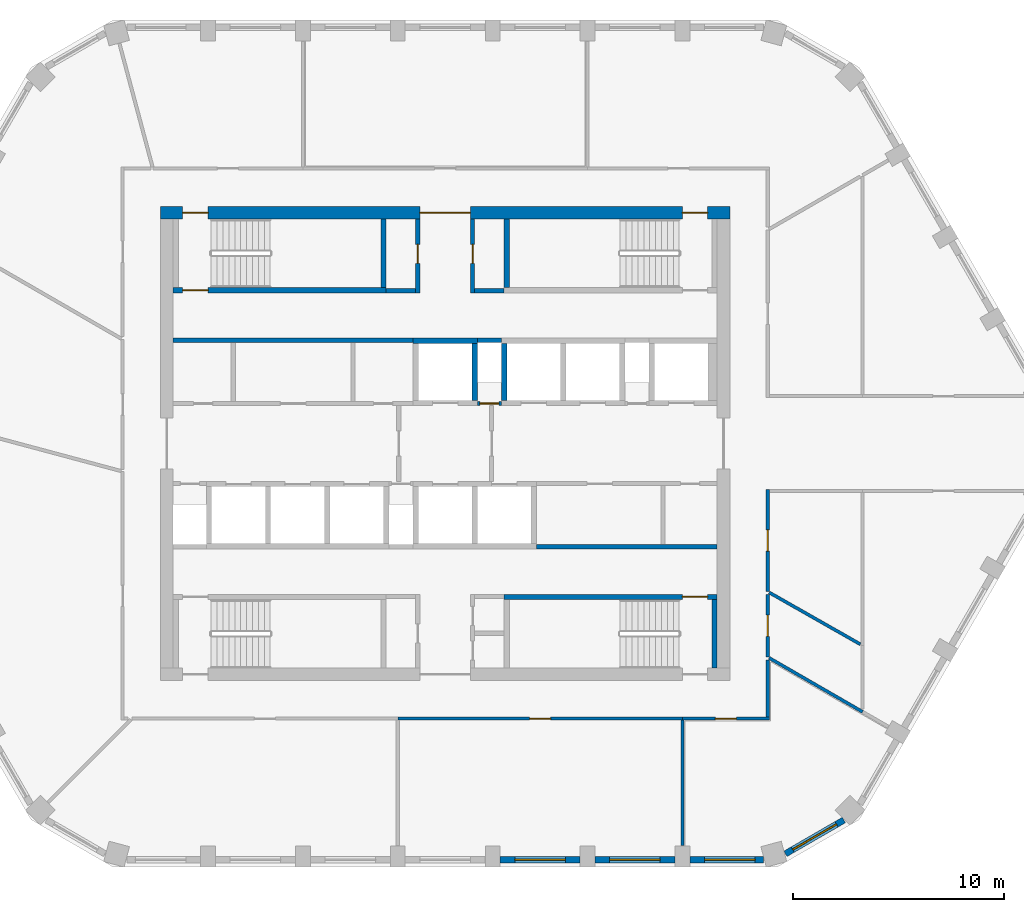
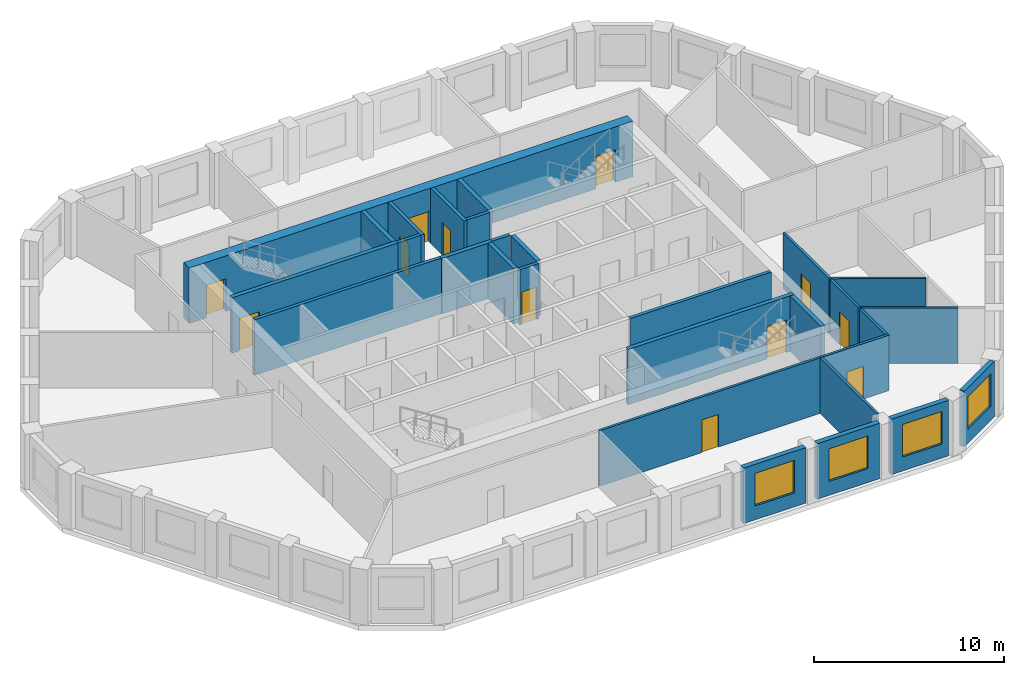
# One storey, part 4 of 10: 29 walls, 12 doors, 4 windows, 16 openings.
"""IFC4 building model written with IfcOpenShell, lengths in metres."""

import ifcopenshell
import ifcopenshell.guid

model = None  # the IFC model being written
_history = None  # IfcOwnerHistory: only IFC2X3 demands one
_inside = {}  # id of a spatial element -> (the spatial element, [elements in it])
_under = {}  # id of a project, library or spatial element -> (it, [spatial elements below it])
_declared = {}  # id of a project -> (the project, [libraries it declares])
_typed = {}  # id of a type object -> (the type object, [elements of that type])
_made_of = {}  # id of a material, layer set ... -> (it, [elements and type objects made of it])


def new_model(schema):
    """Start an empty IFC model of exactly this schema.

    Asked for "IFC4X3", IfcOpenShell would pick the latest addendum, in which some entities
    have other attributes; the version numbers below select the first issue.
    IFC2X3 requires an IfcOwnerHistory on every rooted entity: one is made here for all.
    """
    global model, _history
    if schema == "IFC4X3":
        model = ifcopenshell.file(schema_version=(4, 3, 0, 0))
    else:
        model = ifcopenshell.file(schema=schema)
    _inside.clear()
    _under.clear()
    _declared.clear()
    _typed.clear()
    _made_of.clear()
    _history = None
    if model.schema == "IFC2X3":
        org = make("IfcOrganization", Name="unknown")
        user = make(
            "IfcPersonAndOrganization",
            ThePerson=make("IfcPerson", FamilyName="unknown"),
            TheOrganization=org,
        )
        app = make(
            "IfcApplication",
            ApplicationDeveloper=org,
            Version="unknown",
            ApplicationFullName="unknown",
            ApplicationIdentifier="unknown",
        )
        _history = make(
            "IfcOwnerHistory",
            OwningUser=user,
            OwningApplication=app,
            ChangeAction="ADDED",
            CreationDate=0,
        )
    return model


def make(cls, **values):
    """One entity of the class cls with the attributes given. An attribute that is None is left unset."""
    return model.create_entity(
        cls, **{name: value for name, value in values.items() if value is not None}
    )


def rooted(cls, **values):
    """An entity with a GlobalId (a new one), such as an element, a storey or a relation."""
    return make(cls, GlobalId=ifcopenshell.guid.new(), OwnerHistory=_history, **values)


def si_unit(unit_type, name, prefix=None):
    """IfcSIUnit, for example si_unit("LENGTHUNIT", "METRE", prefix="MILLI")."""
    return make("IfcSIUnit", UnitType=unit_type, Prefix=prefix, Name=name)


def assignment(units):
    """IfcUnitAssignment: the units of a project."""
    return None if units is None else make("IfcUnitAssignment", Units=units)


def point(xyz):
    """IfcCartesianPoint."""
    return None if xyz is None else make("IfcCartesianPoint", Coordinates=xyz)


def direction(xyz):
    """IfcDirection."""
    return None if xyz is None else make("IfcDirection", DirectionRatios=xyz)


def frame(location, z_axis=None, x_axis=None):
    """IfcAxis2Placement3D, a coordinate frame: its origin and axes. An axis left out is left unset."""
    return make(
        "IfcAxis2Placement3D",
        Location=point(location),
        Axis=direction(z_axis),
        RefDirection=direction(x_axis),
    )


def frame_2d(location, x_axis=None):
    """IfcAxis2Placement2D, a coordinate frame in the plane: its origin and x axis."""
    return make(
        "IfcAxis2Placement2D", Location=point(location), RefDirection=direction(x_axis)
    )


def origin():
    """The frame at (0, 0, 0) with its axes left unset."""
    return frame((0.0, 0.0, 0.0))


def place(relative_to, where):
    """IfcLocalPlacement: puts the frame where relative to a parent placement (None: the world)."""
    return make(
        "IfcLocalPlacement", PlacementRelTo=relative_to, RelativePlacement=where
    )


def context(
    kind, dimensions, precision=None, world=None, true_north=None, identifier=None
):
    """IfcGeometricRepresentationContext, for example the 3D "Model" context."""
    return make(
        "IfcGeometricRepresentationContext",
        ContextIdentifier=identifier,
        ContextType=kind,
        CoordinateSpaceDimension=dimensions,
        Precision=precision,
        WorldCoordinateSystem=world,
        TrueNorth=true_north,
    )


def subcontext(parent, identifier, kind, view, scale=None):
    """IfcGeometricRepresentationSubContext, for example "Body" below "Model"."""
    return make(
        "IfcGeometricRepresentationSubContext",
        ContextIdentifier=identifier,
        ContextType=kind,
        ParentContext=parent,
        TargetScale=scale,
        TargetView=view,
    )


def project(units=None, contexts=None):
    """IfcProject with its units and contexts."""
    return rooted(
        "IfcProject",
        Name="project",
        RepresentationContexts=contexts,
        UnitsInContext=assignment(units),
    )


def spatial(cls, under=None, at=None, **own):
    """A site, building, storey or space (cls), placed at a placement, below another one or the project."""
    s = rooted(cls, ObjectPlacement=at, **own)
    if under is not None:
        _under.setdefault(under.id(), (under, []))[1].append(s)
    return s


def polyline(points):
    """IfcPolyline through the points."""
    return make("IfcPolyline", Points=[point(p) for p in points])


def profile(cls, at=None, kind="AREA", **sizes):
    """A parametric profile (cls). Its sizes go by their IFC names, for example OverallWidth=200.0."""
    return make(cls, ProfileType=kind, Position=at, **sizes)


def rectangle(**sizes):
    """IfcRectangleProfileDef."""
    return profile("IfcRectangleProfileDef", **sizes)


def outline(outer, holes=None, kind="AREA"):
    """IfcArbitraryClosedProfileDef: a profile drawn as a closed curve; with holes, ...WithVoids."""
    if holes is None:
        return make("IfcArbitraryClosedProfileDef", ProfileType=kind, OuterCurve=outer)
    return make(
        "IfcArbitraryProfileDefWithVoids",
        ProfileType=kind,
        OuterCurve=outer,
        InnerCurves=holes,
    )


def extrude(swept, where, along, depth):
    """IfcExtrudedAreaSolid: the profile swept, set in the frame where, extruded along a direction by depth."""
    return make(
        "IfcExtrudedAreaSolid",
        SweptArea=swept,
        Position=where,
        ExtrudedDirection=direction(along),
        Depth=depth,
    )


def shape(context_of_items, identifier, shape_type, items):
    """IfcShapeRepresentation: the items that make up one representation, for example the "Body"."""
    return make(
        "IfcShapeRepresentation",
        ContextOfItems=context_of_items,
        RepresentationIdentifier=identifier,
        RepresentationType=shape_type,
        Items=items,
    )


def material(Name=None, Category=None):
    """IfcMaterial."""
    return make("IfcMaterial", Name=Name, Category=Category)


def layer(
    of_material, thickness, ventilated=None, Name=None, Category=None, Priority=None
):
    """IfcMaterialLayer: one layer of a wall or slab, of a material (None: an air gap)."""
    return make(
        "IfcMaterialLayer",
        Material=of_material,
        LayerThickness=thickness,
        IsVentilated=ventilated,
        Name=Name,
        Category=Category,
        Priority=Priority,
    )


def layer_set(layers, Name=None):
    """IfcMaterialLayerSet."""
    return make("IfcMaterialLayerSet", MaterialLayers=layers, LayerSetName=Name)


def made_of(thing, what):
    """Note that an element or type object is made of a material, layer set ...; save() writes the relation."""
    if what is not None:
        _made_of.setdefault(what.id(), (what, []))[1].append(thing)
    return thing


def type_object(cls, material=None, **own):
    """A type object (cls), such as IfcWallType, which elements share."""
    return made_of(rooted(cls, **own), material)


def element(
    cls,
    number,
    at=None,
    inside=None,
    cuts=None,
    type_object=None,
    material=None,
    context=None,
    identifier="Body",
    shape_type=None,
    held_by="IfcProductDefinitionShape",
    body=None,
    shapes=None,
    **own,
):
    """One element of the class cls, such as IfcWall. Its Tag is "e" and its number.

    at: its placement. inside: the storey or other place that contains it. cuts: it is an
    opening in that element (IfcRelVoidsElement). A single representation is given by context,
    identifier, shape_type and body (its items); several are given by shapes. held_by: the class
    of the entity that holds the representations. save() writes the other relations.
    """
    e = rooted(cls, Tag="e%d" % number, ObjectPlacement=at, **own)
    if body is not None:
        shapes = [shape(context, identifier, shape_type, body)]
    if shapes is not None:
        e.Representation = make(held_by, Representations=shapes)
    if inside is not None:
        _inside.setdefault(inside.id(), (inside, []))[1].append(e)
    if cuts is not None:
        rooted(
            "IfcRelVoidsElement", RelatingBuildingElement=cuts, RelatedOpeningElement=e
        )
    if type_object is not None:
        _typed.setdefault(type_object.id(), (type_object, []))[1].append(e)
    return made_of(e, material)


def fill(opening, filler):
    """IfcRelFillsElement: the door or window that sits in an opening."""
    return rooted(
        "IfcRelFillsElement",
        RelatingOpeningElement=opening,
        RelatedBuildingElement=filler,
    )


def aggregate(whole, parts):
    """IfcRelAggregates: a whole, such as a stair, and the parts it consists of."""
    return rooted("IfcRelAggregates", RelatingObject=whole, RelatedObjects=parts)


def save(model, path):
    """Write the relations noted so far, then the file.

    IfcRelAggregates (storeys below a building ...), IfcRelContainedInSpatialStructure (elements
    in a storey), IfcRelDefinesByType, IfcRelAssociatesMaterial and IfcRelDeclares: one each for
    every whole, place, type object, material and project.
    """
    for whole, parts in _under.values():
        aggregate(whole, parts)
    for where, things in _inside.values():
        rooted(
            "IfcRelContainedInSpatialStructure",
            RelatedElements=things,
            RelatingStructure=where,
        )
    for kind, things in _typed.values():
        rooted("IfcRelDefinesByType", RelatedObjects=things, RelatingType=kind)
    for what, things in _made_of.values():
        rooted("IfcRelAssociatesMaterial", RelatedObjects=things, RelatingMaterial=what)
    for by, libraries in _declared.values():
        rooted("IfcRelDeclares", RelatingContext=by, RelatedDefinitions=libraries)
    model.write(path)


model = new_model("IFC4")

# Units and contexts
model_context = context("Model", 3, precision=1e-05, world=origin(), true_north=direction((0.0, 1.0)))
body_context = subcontext(model_context, "Body", "Model", "MODEL_VIEW")
ifc_project = project(units=[si_unit("LENGTHUNIT", "METRE"), si_unit("AREAUNIT", "SQUARE_METRE"), si_unit("VOLUMEUNIT", "CUBIC_METRE"), si_unit("PLANEANGLEUNIT", "RADIAN"), si_unit("MASSUNIT", "GRAM", prefix="KILO")], contexts=[model_context])

# Site, building, storey
site_placement = place(None, origin())
site = spatial("IfcSite", under=ifc_project, at=site_placement, CompositionType="ELEMENT")
building_placement = place(site_placement, origin())
building = spatial("IfcBuilding", under=site, at=building_placement, Name="Dhurran Vertical Campus", CompositionType="ELEMENT")
storey_placement = place(building_placement, frame((0.0, 0.0, 254.699951171875)))
storey = spatial("IfcBuildingStorey", under=building, at=storey_placement, Name="L63", CompositionType="ELEMENT", Elevation=254.699951171875)

# Wall, opening, window
ifc_material_1 = material(Name="Precast concrete C50/60", Category="concrete")
ifc_layer_1 = layer(ifc_material_1, 0.300048828125)
ifc_layer_set_1 = layer_set([ifc_layer_1], Name="Precast concrete C50/60")
wall_type_1 = type_object("IfcWallType", Name="Precast spandrel wall 300", PredefinedType="SOLIDWALL", material=ifc_layer_set_1)
wall_1_placement = place(storey_placement, frame((2.6005859375, -19.738525390625, 0.0), z_axis=(0.0, 0.0, 1.0), x_axis=(1.0, 0.0, 0.0)))
wall_1 = element("IfcWall", 1, at=wall_1_placement, inside=storey, type_object=wall_type_1, Name="EW1 L63.04", PredefinedType="SOLIDWALL", context=body_context, shape_type="SweptSolid", body=[
    extrude(rectangle(XDim=3.798828125, YDim=0.300048828125, at=frame_2d((1.8994140625, 0.0))), origin(), (0.0, 0.0, 1.0), 3.574951171875),
])
opening_1_placement = place(wall_1_placement, frame((0.699462890625, 0.0, 0.89990234375)))
opening_1 = element("IfcOpeningElement", 2, at=opening_1_placement, cuts=wall_1, Name="Opening WT1", PredefinedType="OPENING", context=body_context, shape_type="SweptSolid", body=[
    extrude(rectangle(XDim=2.39990234375, YDim=2.10009765625, at=frame_2d((1.199951171875, 1.050048828125))), frame((0.0, 0.159912109375, 0.0), z_axis=(0.0, -1.0, 0.0), x_axis=(1.0, 0.0, 0.0)), (0.0, 0.0, 1.0), 0.320068359375),
])
ifc_material_2 = material(Name="Aluminium frame with solar-control glass", Category="aluminium")
window_type = type_object("IfcWindowType", Name="Punched window 2400 x 2100", PartitioningType="SINGLE_PANEL", PredefinedType="WINDOW", material=ifc_material_2)
window_1_placement = place(opening_1_placement, origin())
window_1 = element("IfcWindow", 3, at=window_1_placement, inside=storey, type_object=window_type, Name="WT1 L63.04", OverallHeight=2.10009765625, OverallWidth=2.39990234375, PartitioningType="SINGLE_PANEL", PredefinedType="WINDOW", context=body_context, shape_type="SweptSolid", body=[
    extrude(rectangle(XDim=2.39990234375, YDim=2.10009765625, at=frame_2d((1.199951171875, 1.050048828125))), frame((0.0, 0.030029296875, 0.0), z_axis=(0.0, -1.0, 0.0), x_axis=(1.0, 0.0, 0.0)), (0.0, 0.0, 1.0), 0.06005859375),
])
fill(opening_1, window_1)

wall_2_placement = place(storey_placement, frame((7.1005859375, -19.738525390625, 0.0), z_axis=(0.0, 0.0, 1.0), x_axis=(1.0, 0.0, 0.0)))
wall_2 = element("IfcWall", 4, at=wall_2_placement, inside=storey, type_object=wall_type_1, Name="EW1 L63.05", PredefinedType="SOLIDWALL", context=body_context, shape_type="SweptSolid", body=[
    extrude(rectangle(XDim=3.798828125, YDim=0.300048828125, at=frame_2d((1.8994140625, 0.0))), origin(), (0.0, 0.0, 1.0), 3.574951171875),
])
opening_2_placement = place(wall_2_placement, frame((0.699462890625, 0.0, 0.89990234375)))
opening_2 = element("IfcOpeningElement", 5, at=opening_2_placement, cuts=wall_2, Name="Opening WT1", PredefinedType="OPENING", context=body_context, shape_type="SweptSolid", body=[
    extrude(rectangle(XDim=2.39990234375, YDim=2.10009765625, at=frame_2d((1.199951171875, 1.050048828125))), frame((0.0, 0.159912109375, 0.0), z_axis=(0.0, -1.0, 0.0), x_axis=(1.0, 0.0, 0.0)), (0.0, 0.0, 1.0), 0.320068359375),
])
window_2_placement = place(opening_2_placement, origin())
window_2 = element("IfcWindow", 6, at=window_2_placement, inside=storey, type_object=window_type, Name="WT1 L63.05", OverallHeight=2.10009765625, OverallWidth=2.39990234375, PartitioningType="SINGLE_PANEL", PredefinedType="WINDOW", context=body_context, shape_type="SweptSolid", body=[
    extrude(rectangle(XDim=2.39990234375, YDim=2.10009765625, at=frame_2d((1.199951171875, 1.050048828125))), frame((0.0, 0.030029296875, 0.0), z_axis=(0.0, -1.0, 0.0), x_axis=(1.0, 0.0, 0.0)), (0.0, 0.0, 1.0), 0.06005859375),
])
fill(opening_2, window_2)

wall_3_placement = place(storey_placement, frame((11.6005859375, -19.738525390625, 0.0), z_axis=(0.0, 0.0, 1.0), x_axis=(1.0, 0.0, 0.0)))
wall_3 = element("IfcWall", 7, at=wall_3_placement, inside=storey, type_object=wall_type_1, Name="EW1 L63.06", PredefinedType="SOLIDWALL", context=body_context, shape_type="SweptSolid", body=[
    extrude(rectangle(XDim=3.49755859375, YDim=0.300048828125, at=frame_2d((1.748779296875, 0.0))), origin(), (0.0, 0.0, 1.0), 3.574951171875),
])
opening_3_placement = place(wall_3_placement, frame((0.699462890625, 0.0, 0.89990234375)))
opening_3 = element("IfcOpeningElement", 8, at=opening_3_placement, cuts=wall_3, Name="Opening WT1", PredefinedType="OPENING", context=body_context, shape_type="SweptSolid", body=[
    extrude(rectangle(XDim=2.39990234375, YDim=2.10009765625, at=frame_2d((1.199951171875, 1.050048828125))), frame((0.0, 0.159912109375, 0.0), z_axis=(0.0, -1.0, 0.0), x_axis=(1.0, 0.0, 0.0)), (0.0, 0.0, 1.0), 0.320068359375),
])
window_3_placement = place(opening_3_placement, origin())
window_3 = element("IfcWindow", 9, at=window_3_placement, inside=storey, type_object=window_type, Name="WT1 L63.06", OverallHeight=2.10009765625, OverallWidth=2.39990234375, PartitioningType="SINGLE_PANEL", PredefinedType="WINDOW", context=body_context, shape_type="SweptSolid", body=[
    extrude(rectangle(XDim=2.39990234375, YDim=2.10009765625, at=frame_2d((1.199951171875, 1.050048828125))), frame((0.0, 0.030029296875, 0.0), z_axis=(0.0, -1.0, 0.0), x_axis=(1.0, 0.0, 0.0)), (0.0, 0.0, 1.0), 0.06005859375),
])
fill(opening_3, window_3)

wall_4_placement = place(storey_placement, frame((16.1396484375, -19.45947265625, 0.0), z_axis=(0.0, 0.0, 1.0), x_axis=(0.866025316205, 0.500000151692, 0.0)))
wall_4 = element("IfcWall", 10, at=wall_4_placement, inside=storey, type_object=wall_type_1, Name="EW1 L63.07", PredefinedType="SOLIDWALL", context=body_context, shape_type="SweptSolid", body=[
    extrude(rectangle(XDim=3.1962890625, YDim=0.300048828125, at=frame_2d((1.59814453125, 0.0))), origin(), (0.0, 0.0, 1.0), 3.574951171875),
])
opening_4_placement = place(wall_4_placement, frame((0.398193359375, 0.0, 0.89990234375)))
opening_4 = element("IfcOpeningElement", 11, at=opening_4_placement, cuts=wall_4, Name="Opening WT1", PredefinedType="OPENING", context=body_context, shape_type="SweptSolid", body=[
    extrude(rectangle(XDim=2.39990234375, YDim=2.10009765625, at=frame_2d((1.199951171875, 1.050048828125))), frame((0.0, 0.159912109375, 0.0), z_axis=(0.0, -1.0, 0.0), x_axis=(1.0, 0.0, 0.0)), (0.0, 0.0, 1.0), 0.320068359375),
])
window_4_placement = place(opening_4_placement, origin())
window_4 = element("IfcWindow", 12, at=window_4_placement, inside=storey, type_object=window_type, Name="WT1 L63.07", OverallHeight=2.10009765625, OverallWidth=2.39990234375, PartitioningType="SINGLE_PANEL", PredefinedType="WINDOW", context=body_context, shape_type="SweptSolid", body=[
    extrude(rectangle(XDim=2.39990234375, YDim=2.10009765625, at=frame_2d((1.199951171875, 1.050048828125))), frame((0.0, 0.030029296875, 0.0), z_axis=(0.0, -1.0, 0.0), x_axis=(1.0, 0.0, 0.0)), (0.0, 0.0, 1.0), 0.06005859375),
])
fill(opening_4, window_4)

# Wall, openings, doors
ifc_material_3 = material(Name="Concrete C50/60", Category="concrete")
ifc_layer_2 = layer(ifc_material_3, 0.60009765625)
ifc_layer_set_2 = layer_set([ifc_layer_2], Name="Concrete C50/60")
wall_type_2 = type_object("IfcWallType", Name="co-CORE-WALL-C2-600", PredefinedType="SHEAR", material=ifc_layer_set_2)
wall_5_placement = place(storey_placement, frame((-13.5, 10.949951171875, 0.0), z_axis=(0.0, 0.0, 1.0), x_axis=(1.0, 0.0, 0.0)))
wall_5 = element("IfcWall", 13, at=wall_5_placement, inside=storey, type_object=wall_type_2, Name="Core wall N L63", PredefinedType="SHEAR", context=body_context, shape_type="SweptSolid", body=[
    extrude(rectangle(XDim=27.0, YDim=0.60009765625, at=frame_2d((13.5, 0.0))), origin(), (0.0, 0.0, 1.0), 3.574951171875),
])
opening_5_placement = place(wall_5_placement, frame((12.300048828125, 0.0, 0.0)))
opening_5 = element("IfcOpeningElement", 14, at=opening_5_placement, cuts=wall_5, Name="Opening CV1", PredefinedType="OPENING", context=body_context, shape_type="SweptSolid", body=[
    extrude(rectangle(XDim=2.39990234375, YDim=2.10009765625, at=frame_2d((1.199951171875, 1.050048828125))), frame((0.0, 0.31005859375, 0.0), z_axis=(0.0, -1.0, 0.0), x_axis=(1.0, 0.0, 0.0)), (0.0, 0.0, 1.0), 0.6201171875),
])
opening_6_placement = place(wall_5_placement, frame((1.050048828125, 0.0, 0.0)))
opening_6 = element("IfcOpeningElement", 15, at=opening_6_placement, cuts=wall_5, Name="Opening XD1", PredefinedType="OPENING", context=body_context, shape_type="SweptSolid", body=[
    extrude(rectangle(XDim=1.199951171875, YDim=2.10009765625, at=frame_2d((0.60009765625, 1.050048828125))), frame((0.0, 0.31005859375, 0.0), z_axis=(0.0, -1.0, 0.0), x_axis=(1.0, 0.0, 0.0)), (0.0, 0.0, 1.0), 0.6201171875),
])
opening_7_placement = place(wall_5_placement, frame((24.75, 0.0, 0.0)))
opening_7 = element("IfcOpeningElement", 16, at=opening_7_placement, cuts=wall_5, Name="Opening XD2", PredefinedType="OPENING", context=body_context, shape_type="SweptSolid", body=[
    extrude(rectangle(XDim=1.199951171875, YDim=2.10009765625, at=frame_2d((0.60009765625, 1.050048828125))), frame((0.0, 0.31005859375, 0.0), z_axis=(0.0, -1.0, 0.0), x_axis=(1.0, 0.0, 0.0)), (0.0, 0.0, 1.0), 0.6201171875),
])
ifc_material_4 = material(Name="Fire-rated glazed door set")
door_type_1 = type_object("IfcDoorType", Name="co-D-LOBBY 2400x2100", OperationType="DOUBLE_DOOR_DOUBLE_SWING", PredefinedType="DOOR", material=ifc_material_4)
door_1_placement = place(opening_5_placement, origin())
door_1 = element("IfcDoor", 17, at=door_1_placement, inside=storey, type_object=door_type_1, Name="Core vestibule door N L63", OperationType="DOUBLE_DOOR_DOUBLE_SWING", OverallHeight=2.10009765625, OverallWidth=2.39990234375, PredefinedType="DOOR", context=body_context, shape_type="SweptSolid", body=[
    extrude(rectangle(XDim=2.39990234375, YDim=2.10009765625, at=frame_2d((1.199951171875, 1.050048828125))), frame((0.0, 0.02490234375, 0.0), z_axis=(0.0, -1.0, 0.0), x_axis=(1.0, 0.0, 0.0)), (0.0, 0.0, 1.0), 0.050048828125),
])
fill(opening_5, door_1)
ifc_material_5 = material(Name="Fire-rated steel door set", Category="steel")
door_type_2 = type_object("IfcDoorType", Name="co-D-STAIR-EXIT 1200x2100", OperationType="SINGLE_SWING_RIGHT", PredefinedType="DOOR", material=ifc_material_5)
door_2_placement = place(opening_6_placement, origin())
door_2 = element("IfcDoor", 18, at=door_2_placement, inside=storey, type_object=door_type_2, Name="Stair ST1 exit door L63", OperationType="SINGLE_SWING_RIGHT", OverallHeight=2.10009765625, OverallWidth=1.199951171875, PredefinedType="DOOR", context=body_context, shape_type="SweptSolid", body=[
    extrude(rectangle(XDim=1.199951171875, YDim=2.10009765625, at=frame_2d((0.60009765625, 1.050048828125))), frame((0.0, 0.02490234375, 0.0), z_axis=(0.0, -1.0, 0.0), x_axis=(1.0, 0.0, 0.0)), (0.0, 0.0, 1.0), 0.050048828125),
])
fill(opening_6, door_2)
door_3_placement = place(opening_7_placement, origin())
door_3 = element("IfcDoor", 19, at=door_3_placement, inside=storey, type_object=door_type_2, Name="Stair ST2 exit door L63", OperationType="SINGLE_SWING_RIGHT", OverallHeight=2.10009765625, OverallWidth=1.199951171875, PredefinedType="DOOR", context=body_context, shape_type="SweptSolid", body=[
    extrude(rectangle(XDim=1.199951171875, YDim=2.10009765625, at=frame_2d((0.60009765625, 1.050048828125))), frame((0.0, 0.02490234375, 0.0), z_axis=(0.0, -1.0, 0.0), x_axis=(1.0, 0.0, 0.0)), (0.0, 0.0, 1.0), 0.050048828125),
])
fill(opening_7, door_3)

# Walls
ifc_material_6 = material(Name="Fire-rated masonry blockwork", Category="masonry")
ifc_layer_3 = layer(ifc_material_6, 0.199951171875)
ifc_layer_set_3 = layer_set([ifc_layer_3], Name="Fire-rated masonry blockwork")
wall_type_3 = type_object("IfcWallType", Name="co-FIRE-PARTITION-200", PredefinedType="PARTITIONING", material=ifc_layer_set_3)
for number, where, z_axis, x_axis, name in (
    (20, (-2.800048828125, 7.25, 0.0), (0.0, 0.0, 1.0), (1.0, 0.0, 0.0), "Core partition sl-NW-S L63"),
    (21, (1.39990234375, 7.25, 0.0), (0.0, 0.0, 1.0), (1.0, 0.0, 0.0), "Core partition sl-NE-S L63"),
):
    element("IfcWall", number, at=place(storey_placement, frame(where, z_axis=z_axis, x_axis=x_axis)), inside=storey, type_object=wall_type_3, Name=name, PredefinedType="PARTITIONING", context=body_context, shape_type="SweptSolid", body=[
        extrude(rectangle(XDim=1.400146484375, YDim=0.199951171875, at=frame_2d((0.7001953125, 0.0))), origin(), (0.0, 0.0, 1.0), 3.574951171875),
    ])

# Wall, opening, door
wall_6_placement = place(storey_placement, frame((-1.300048828125, 7.14990234375, 0.0), z_axis=(0.0, 0.0, 1.0), x_axis=(0.0, 1.0, 0.0)))
wall_6 = element("IfcWall", 22, at=wall_6_placement, inside=storey, type_object=wall_type_3, Name="Core partition vest-NW L63", PredefinedType="PARTITIONING", context=body_context, shape_type="SweptSolid", body=[
    extrude(rectangle(XDim=3.5, YDim=0.199951171875, at=frame_2d((1.75, 0.0))), origin(), (0.0, 0.0, 1.0), 3.574951171875),
])
opening_8_placement = place(wall_6_placement, frame((1.39990234375, 0.0, 0.0)))
opening_8 = element("IfcOpeningElement", 23, at=opening_8_placement, cuts=wall_6, Name="Opening T18-C4", PredefinedType="OPENING", context=body_context, shape_type="SweptSolid", body=[
    extrude(rectangle(XDim=0.89990234375, YDim=2.10009765625, at=frame_2d((0.449951171875, 1.050048828125))), frame((0.0, 0.10986328125, 0.0), z_axis=(0.0, -1.0, 0.0), x_axis=(1.0, 0.0, 0.0)), (0.0, 0.0, 1.0), 0.219970703125),
])
ifc_material_7 = material(Name="Fire-rated timber door set", Category="wood")
door_type_3 = type_object("IfcDoorType", Name="co-D-ROOM 900x2100", OperationType="SINGLE_SWING_LEFT", PredefinedType="DOOR", material=ifc_material_7)
door_4_placement = place(opening_8_placement, origin())
door_4 = element("IfcDoor", 24, at=door_4_placement, inside=storey, type_object=door_type_3, Name="Print room door L63", OperationType="SINGLE_SWING_LEFT", OverallHeight=2.10009765625, OverallWidth=0.89990234375, PredefinedType="DOOR", context=body_context, shape_type="SweptSolid", body=[
    extrude(rectangle(XDim=0.89990234375, YDim=2.10009765625, at=frame_2d((0.449951171875, 1.050048828125))), frame((0.0, 0.02490234375, 0.0), z_axis=(0.0, -1.0, 0.0), x_axis=(1.0, 0.0, 0.0)), (0.0, 0.0, 1.0), 0.050048828125),
])
fill(opening_8, door_4)

wall_7_placement = place(storey_placement, frame((1.300048828125, 7.14990234375, 0.0), z_axis=(0.0, 0.0, 1.0), x_axis=(0.0, 1.0, 0.0)))
wall_7 = element("IfcWall", 25, at=wall_7_placement, inside=storey, type_object=wall_type_3, Name="Core partition vest-NE L63", PredefinedType="PARTITIONING", context=body_context, shape_type="SweptSolid", body=[
    extrude(rectangle(XDim=3.5, YDim=0.199951171875, at=frame_2d((1.75, 0.0))), origin(), (0.0, 0.0, 1.0), 3.574951171875),
])
opening_9_placement = place(wall_7_placement, frame((1.39990234375, 0.0, 0.0)))
opening_9 = element("IfcOpeningElement", 26, at=opening_9_placement, cuts=wall_7, Name="Opening T18-C5", PredefinedType="OPENING", context=body_context, shape_type="SweptSolid", body=[
    extrude(rectangle(XDim=0.89990234375, YDim=2.10009765625, at=frame_2d((0.449951171875, 1.050048828125))), frame((0.0, 0.10986328125, 0.0), z_axis=(0.0, -1.0, 0.0), x_axis=(1.0, 0.0, 0.0)), (0.0, 0.0, 1.0), 0.219970703125),
])
door_5_placement = place(opening_9_placement, origin())
door_5 = element("IfcDoor", 27, at=door_5_placement, inside=storey, type_object=door_type_3, Name="Plant room door L63", OperationType="SINGLE_SWING_LEFT", OverallHeight=2.10009765625, OverallWidth=0.89990234375, PredefinedType="DOOR", context=body_context, shape_type="SweptSolid", body=[
    extrude(rectangle(XDim=0.89990234375, YDim=2.10009765625, at=frame_2d((0.449951171875, 1.050048828125))), frame((0.0, 0.02490234375, 0.0), z_axis=(0.0, -1.0, 0.0), x_axis=(1.0, 0.0, 0.0)), (0.0, 0.0, 1.0), 0.050048828125),
])
fill(opening_9, door_5)

# Wall
wall_8_placement = place(storey_placement, frame((-12.89990234375, 4.89990234375, 0.0), z_axis=(0.0, 0.0, 1.0), x_axis=(1.0, 0.0, 0.0)))
element("IfcWall", 28, at=wall_8_placement, inside=storey, type_object=wall_type_3, Name="Core partition fr-N0-b L63", PredefinedType="PARTITIONING", context=body_context, shape_type="SweptSolid", body=[
    extrude(rectangle(XDim=11.375, YDim=0.199951171875, at=frame_2d((5.6875, 0.0))), origin(), (0.0, 0.0, 1.0), 3.574951171875),
])

# Wall, opening, door
wall_9_placement = place(storey_placement, frame((1.52490234375, 1.89990234375, 0.0), z_axis=(0.0, 0.0, 1.0), x_axis=(1.0, 0.0, 0.0)))
wall_9 = element("IfcWall", 29, at=wall_9_placement, inside=storey, type_object=wall_type_3, Name="Core partition fr-N1-f L63", PredefinedType="PARTITIONING", context=body_context, shape_type="SweptSolid", body=[
    extrude(rectangle(XDim=1.150146484375, YDim=0.199951171875, at=frame_2d((0.5751953125, 0.0))), origin(), (0.0, 0.0, 1.0), 3.574951171875),
])
opening_10_placement = place(wall_9_placement, frame((0.125, 0.0, 0.0)))
opening_10 = element("IfcOpeningElement", 30, at=opening_10_placement, cuts=wall_9, Name="Opening T18-C9", PredefinedType="OPENING", context=body_context, shape_type="SweptSolid", body=[
    extrude(rectangle(XDim=0.89990234375, YDim=2.10009765625, at=frame_2d((0.449951171875, 1.050048828125))), frame((0.0, 0.10986328125, 0.0), z_axis=(0.0, -1.0, 0.0), x_axis=(1.0, 0.0, 0.0)), (0.0, 0.0, 1.0), 0.219970703125),
])
door_6_placement = place(opening_10_placement, origin())
door_6 = element("IfcDoor", 31, at=door_6_placement, inside=storey, type_object=door_type_3, Name="Water riser door L63", OperationType="SINGLE_SWING_LEFT", OverallHeight=2.10009765625, OverallWidth=0.89990234375, PredefinedType="DOOR", context=body_context, shape_type="SweptSolid", body=[
    extrude(rectangle(XDim=0.89990234375, YDim=2.10009765625, at=frame_2d((0.449951171875, 1.050048828125))), frame((0.0, 0.02490234375, 0.0), z_axis=(0.0, -1.0, 0.0), x_axis=(1.0, 0.0, 0.0)), (0.0, 0.0, 1.0), 0.050048828125),
])
fill(opening_10, door_6)

# Walls
wall_10_placement = place(storey_placement, frame((1.52490234375, 4.89990234375, 0.0), z_axis=(0.0, 0.0, 1.0), x_axis=(1.0, 0.0, 0.0)))
element("IfcWall", 32, at=wall_10_placement, inside=storey, type_object=wall_type_3, Name="Core partition fr-N1-b L63", PredefinedType="PARTITIONING", context=body_context, shape_type="SweptSolid", body=[
    extrude(rectangle(XDim=1.150146484375, YDim=0.199951171875, at=frame_2d((0.5751953125, 0.0))), origin(), (0.0, 0.0, 1.0), 3.574951171875),
])
wall_11_placement = place(storey_placement, frame((4.324951171875, -4.89990234375, 0.0), z_axis=(0.0, 0.0, 1.0), x_axis=(1.0, 0.0, 0.0)))
element("IfcWall", 33, at=wall_11_placement, inside=storey, type_object=wall_type_3, Name="Core partition fr-S2-b L63", PredefinedType="PARTITIONING", context=body_context, shape_type="SweptSolid", body=[
    extrude(rectangle(XDim=8.574951171875, YDim=0.199951171875, at=frame_2d((4.28759765625, 0.0))), origin(), (0.0, 0.0, 1.0), 3.574951171875),
])
ifc_material_8 = material(Name="Concrete C50/60", Category="concrete")
ifc_layer_4 = layer(ifc_material_8, 0.25)
ifc_layer_set_4 = layer_set([ifc_layer_4], Name="Concrete C50/60")
wall_type_4 = type_object("IfcWallType", Name="co-SHAFT-MASS-250", PredefinedType="SHEAR", material=ifc_layer_set_4)
wall_12_placement = place(storey_placement, origin())
element("IfcWall", 34, at=wall_12_placement, inside=storey, type_object=wall_type_4, Name="Lift shaft wall N L63 1", PredefinedType="SHEAR", context=body_context, shape_type="SweptSolid", body=[
    extrude(outline(polyline([(-1.52490234375, 4.75), (1.52490234375, 4.75), (1.52490234375, 5.0), (-1.52490234375, 5.0), (-1.52490234375, 4.75)])), origin(), (0.0, 0.0, 1.0), 3.574951171875),
])
wall_13_placement = place(storey_placement, origin())
element("IfcWall", 35, at=wall_13_placement, inside=storey, type_object=wall_type_4, Name="Lift shaft wall N L63 5", PredefinedType="SHEAR", context=body_context, shape_type="SweptSolid", body=[
    extrude(outline(polyline([(1.27490234375, 2.050048828125), (1.52490234375, 2.050048828125), (1.52490234375, 4.75), (1.27490234375, 4.75), (1.27490234375, 2.050048828125)])), origin(), (0.0, 0.0, 1.0), 3.574951171875),
])
wall_14_placement = place(storey_placement, origin())
element("IfcWall", 36, at=wall_14_placement, inside=storey, type_object=wall_type_4, Name="Lift shaft wall N L63 6", PredefinedType="SHEAR", context=body_context, shape_type="SweptSolid", body=[
    extrude(outline(polyline([(2.675048828125, 2.050048828125), (2.925048828125, 2.050048828125), (2.925048828125, 4.75), (2.675048828125, 4.75), (2.675048828125, 2.050048828125)])), origin(), (0.0, 0.0, 1.0), 3.574951171875),
])

# Wall, opening, door
ifc_material_9 = material(Name="Concrete C40/50", Category="concrete")
ifc_layer_5 = layer(ifc_material_9, 0.25)
ifc_layer_set_5 = layer_set([ifc_layer_5], Name="Concrete C40/50")
wall_type_5 = type_object("IfcWallType", Name="co-STAIR-WALL-250", PredefinedType="SHEAR", material=ifc_layer_set_5)
wall_15_placement = place(storey_placement, frame((-12.89990234375, 7.27490234375, 0.0), z_axis=(0.0, 0.0, 1.0), x_axis=(1.0, 0.0, 0.0)))
wall_15 = element("IfcWall", 37, at=wall_15_placement, inside=storey, type_object=wall_type_5, Name="Stair ST1 enclosure wall L63", PredefinedType="SHEAR", context=body_context, shape_type="SweptSolid", body=[
    extrude(rectangle(XDim=10.099853515625, YDim=0.25, at=frame_2d((5.0498046875, 0.0))), origin(), (0.0, 0.0, 1.0), 3.574951171875),
])
opening_11_placement = place(wall_15_placement, frame((0.449951171875, 0.0, 0.0)))
opening_11 = element("IfcOpeningElement", 38, at=opening_11_placement, cuts=wall_15, Name="Opening SD1", PredefinedType="OPENING", context=body_context, shape_type="SweptSolid", body=[
    extrude(rectangle(XDim=1.199951171875, YDim=2.10009765625, at=frame_2d((0.60009765625, 1.050048828125))), frame((0.0, 0.135009765625, 0.0), z_axis=(0.0, -1.0, 0.0), x_axis=(1.0, 0.0, 0.0)), (0.0, 0.0, 1.0), 0.27001953125),
])
ifc_material_10 = material(Name="Fire-rated steel door set", Category="steel")
door_type_4 = type_object("IfcDoorType", Name="co-D-STAIR 1200x2100", OperationType="SINGLE_SWING_LEFT", PredefinedType="DOOR", material=ifc_material_10)
door_7_placement = place(opening_11_placement, origin())
door_7 = element("IfcDoor", 39, at=door_7_placement, inside=storey, type_object=door_type_4, Name="Stair ST1 door L63", OperationType="SINGLE_SWING_LEFT", OverallHeight=2.10009765625, OverallWidth=1.199951171875, PredefinedType="DOOR", context=body_context, shape_type="SweptSolid", body=[
    extrude(rectangle(XDim=1.199951171875, YDim=2.10009765625, at=frame_2d((0.60009765625, 1.050048828125))), frame((0.0, 0.02490234375, 0.0), z_axis=(0.0, -1.0, 0.0), x_axis=(1.0, 0.0, 0.0)), (0.0, 0.0, 1.0), 0.050048828125),
])
fill(opening_11, door_7)

# Walls
for number, where, z_axis, x_axis, name in (
    (40, (-2.925048828125, 7.39990234375, 0.0), (0.0, 0.0, 1.0), (0.0, 1.0, 0.0), "Stair ST1 enclosure wall L63"),
    (41, (2.925048828125, 7.39990234375, 0.0), (0.0, 0.0, 1.0), (0.0, 1.0, 0.0), "Stair ST2 enclosure wall L63"),
):
    element("IfcWall", number, at=place(storey_placement, frame(where, z_axis=z_axis, x_axis=x_axis)), inside=storey, type_object=wall_type_5, Name=name, PredefinedType="SHEAR", context=body_context, shape_type="SweptSolid", body=[
        extrude(rectangle(XDim=3.25, YDim=0.25, at=frame_2d((1.625, 0.0))), origin(), (0.0, 0.0, 1.0), 3.574951171875),
    ])

# Wall, opening, door
wall_16_placement = place(storey_placement, frame((2.800048828125, -7.27490234375, 0.0), z_axis=(0.0, 0.0, 1.0), x_axis=(1.0, 0.0, 0.0)))
wall_16 = element("IfcWall", 42, at=wall_16_placement, inside=storey, type_object=wall_type_5, Name="Stair ST4 enclosure wall L63", PredefinedType="SHEAR", context=body_context, shape_type="SweptSolid", body=[
    extrude(rectangle(XDim=10.099853515625, YDim=0.25, at=frame_2d((5.0498046875, 0.0))), origin(), (0.0, 0.0, 1.0), 3.574951171875),
])
opening_12_placement = place(wall_16_placement, frame((8.449951171875, 0.0, 0.0)))
opening_12 = element("IfcOpeningElement", 43, at=opening_12_placement, cuts=wall_16, Name="Opening SD4", PredefinedType="OPENING", context=body_context, shape_type="SweptSolid", body=[
    extrude(rectangle(XDim=1.199951171875, YDim=2.10009765625, at=frame_2d((0.60009765625, 1.050048828125))), frame((0.0, 0.135009765625, 0.0), z_axis=(0.0, -1.0, 0.0), x_axis=(1.0, 0.0, 0.0)), (0.0, 0.0, 1.0), 0.27001953125),
])
door_8_placement = place(opening_12_placement, origin())
door_8 = element("IfcDoor", 44, at=door_8_placement, inside=storey, type_object=door_type_4, Name="Stair ST4 door L63", OperationType="SINGLE_SWING_LEFT", OverallHeight=2.10009765625, OverallWidth=1.199951171875, PredefinedType="DOOR", context=body_context, shape_type="SweptSolid", body=[
    extrude(rectangle(XDim=1.199951171875, YDim=2.10009765625, at=frame_2d((0.60009765625, 1.050048828125))), frame((0.0, 0.02490234375, 0.0), z_axis=(0.0, -1.0, 0.0), x_axis=(1.0, 0.0, 0.0)), (0.0, 0.0, 1.0), 0.050048828125),
])
fill(opening_12, door_8)

# Wall
wall_17_placement = place(storey_placement, frame((12.77490234375, -10.64990234375, 0.0), z_axis=(0.0, 0.0, 1.0), x_axis=(0.0, 1.0, 0.0)))
element("IfcWall", 45, at=wall_17_placement, inside=storey, type_object=wall_type_5, Name="Stair ST4 enclosure wall L63", PredefinedType="SHEAR", context=body_context, shape_type="SweptSolid", body=[
    extrude(rectangle(XDim=3.25, YDim=0.25, at=frame_2d((1.625, 0.0))), origin(), (0.0, 0.0, 1.0), 3.574951171875),
])

# Wall, opening, door
ifc_material_11 = material(Name="Gypsum board corridor wall on steel studs", Category="steel")
ifc_layer_6 = layer(ifc_material_11, 0.14990234375)
ifc_layer_set_6 = layer_set([ifc_layer_6], Name="Gypsum board corridor wall on steel studs")
wall_type_6 = type_object("IfcWallType", Name="fl-CW-150 corridor wall", PredefinedType="PARTITIONING", material=ifc_layer_set_6)
wall_18_placement = place(storey_placement, frame((-2.25, -13.050048828125, 0.0), z_axis=(0.0, 0.0, 1.0), x_axis=(1.0, 0.0, 0.0)))
wall_18 = element("IfcWall", 46, at=wall_18_placement, inside=storey, type_object=wall_type_6, Name="Partition 63-15", PredefinedType="PARTITIONING", context=body_context, shape_type="SweptSolid", body=[
    extrude(rectangle(XDim=13.5, YDim=0.14990234375, at=frame_2d((6.75, 0.0))), origin(), (0.0, 0.0, 1.0), 3.574951171875),
])
opening_13_placement = place(wall_18_placement, frame((6.25, 0.0, 0.0)))
opening_13 = element("IfcOpeningElement", 47, at=opening_13_placement, cuts=wall_18, Name="Opening T18.07", PredefinedType="OPENING", context=body_context, shape_type="SweptSolid", body=[
    extrude(rectangle(XDim=1.0, YDim=2.10009765625, at=frame_2d((0.5, 1.050048828125))), frame((0.0, 0.0849609375, 0.0), z_axis=(0.0, -1.0, 0.0), x_axis=(1.0, 0.0, 0.0)), (0.0, 0.0, 1.0), 0.169921875),
])
ifc_material_12 = material(Name="Solid-core timber door set, fire-rated", Category="wood")
door_type_5 = type_object("IfcDoorType", Name="fl-D-1000x2100", OperationType="SINGLE_SWING_LEFT", PredefinedType="DOOR", material=ifc_material_12)
door_9_placement = place(opening_13_placement, origin())
door_9 = element("IfcDoor", 48, at=door_9_placement, inside=storey, type_object=door_type_5, Name="Door 63.07", OperationType="SINGLE_SWING_RIGHT", OverallHeight=2.10009765625, OverallWidth=1.0, PredefinedType="DOOR", context=body_context, shape_type="SweptSolid", body=[
    extrude(rectangle(XDim=1.0, YDim=2.10009765625, at=frame_2d((0.5, 1.050048828125))), frame((0.0, 0.02490234375, 0.0), z_axis=(0.0, -1.0, 0.0), x_axis=(1.0, 0.0, 0.0)), (0.0, 0.0, 1.0), 0.050048828125),
])
fill(opening_13, door_9)

wall_19_placement = place(storey_placement, frame((11.25, -13.050048828125, 0.0), z_axis=(0.0, 0.0, 1.0), x_axis=(1.0, 0.0, 0.0)))
wall_19 = element("IfcWall", 49, at=wall_19_placement, inside=storey, type_object=wall_type_6, Name="Partition 63-19", PredefinedType="PARTITIONING", context=body_context, shape_type="SweptSolid", body=[
    extrude(rectangle(XDim=4.125, YDim=0.14990234375, at=frame_2d((2.0625, 0.0))), origin(), (0.0, 0.0, 1.0), 3.574951171875),
])
opening_14_placement = place(wall_19_placement, frame((1.5625, 0.0, 0.0)))
opening_14 = element("IfcOpeningElement", 50, at=opening_14_placement, cuts=wall_19, Name="Opening T18.09", PredefinedType="OPENING", context=body_context, shape_type="SweptSolid", body=[
    extrude(rectangle(XDim=1.0, YDim=2.10009765625, at=frame_2d((0.5, 1.050048828125))), frame((0.0, 0.0849609375, 0.0), z_axis=(0.0, -1.0, 0.0), x_axis=(1.0, 0.0, 0.0)), (0.0, 0.0, 1.0), 0.169921875),
])
door_10_placement = place(opening_14_placement, origin())
door_10 = element("IfcDoor", 51, at=door_10_placement, inside=storey, type_object=door_type_5, Name="Door 63.09", OperationType="SINGLE_SWING_RIGHT", OverallHeight=2.10009765625, OverallWidth=1.0, PredefinedType="DOOR", context=body_context, shape_type="SweptSolid", body=[
    extrude(rectangle(XDim=1.0, YDim=2.10009765625, at=frame_2d((0.5, 1.050048828125))), frame((0.0, 0.02490234375, 0.0), z_axis=(0.0, -1.0, 0.0), x_axis=(1.0, 0.0, 0.0)), (0.0, 0.0, 1.0), 0.050048828125),
])
fill(opening_14, door_10)

# Wall
wall_20_placement = place(storey_placement, frame((15.300048828125, -12.97509765625, 0.0), z_axis=(0.0, 0.0, 1.0), x_axis=(0.0, 1.0, 0.0)))
element("IfcWall", 52, at=wall_20_placement, inside=storey, type_object=wall_type_6, Name="Partition 63-20", PredefinedType="PARTITIONING", context=body_context, shape_type="SweptSolid", body=[
    extrude(rectangle(XDim=2.713134765625, YDim=0.14990234375, at=frame_2d((1.3564453125, 0.0))), origin(), (0.0, 0.0, 1.0), 3.574951171875),
])

# Wall, opening, door
wall_21_placement = place(storey_placement, frame((15.300048828125, -10.132080078125, 0.0), z_axis=(0.0, 0.0, 1.0), x_axis=(0.0, 1.0, 0.0)))
wall_21 = element("IfcWall", 53, at=wall_21_placement, inside=storey, type_object=wall_type_6, Name="Partition 63-21", PredefinedType="PARTITIONING", context=body_context, shape_type="SweptSolid", body=[
    extrude(rectangle(XDim=2.97998046875, YDim=0.14990234375, at=frame_2d((1.489990234375, 0.0))), origin(), (0.0, 0.0, 1.0), 3.574951171875),
])
opening_15_placement = place(wall_21_placement, frame((0.989990234375, 0.0, 0.0)))
opening_15 = element("IfcOpeningElement", 54, at=opening_15_placement, cuts=wall_21, Name="Opening T18.10", PredefinedType="OPENING", context=body_context, shape_type="SweptSolid", body=[
    extrude(rectangle(XDim=1.0, YDim=2.10009765625, at=frame_2d((0.5, 1.050048828125))), frame((0.0, 0.0849609375, 0.0), z_axis=(0.0, -1.0, 0.0), x_axis=(1.0, 0.0, 0.0)), (0.0, 0.0, 1.0), 0.169921875),
])
door_11_placement = place(opening_15_placement, origin())
door_11 = element("IfcDoor", 55, at=door_11_placement, inside=storey, type_object=door_type_5, Name="Door 63.10", OperationType="SINGLE_SWING_RIGHT", OverallHeight=2.10009765625, OverallWidth=1.0, PredefinedType="DOOR", context=body_context, shape_type="SweptSolid", body=[
    extrude(rectangle(XDim=1.0, YDim=2.10009765625, at=frame_2d((0.5, 1.050048828125))), frame((0.0, 0.02490234375, 0.0), z_axis=(0.0, -1.0, 0.0), x_axis=(1.0, 0.0, 0.0)), (0.0, 0.0, 1.0), 0.050048828125),
])
fill(opening_15, door_11)

wall_22_placement = place(storey_placement, frame((15.300048828125, -7.027099609375, 0.0), z_axis=(0.0, 0.0, 1.0), x_axis=(0.0, 1.0, 0.0)))
wall_22 = element("IfcWall", 56, at=wall_22_placement, inside=storey, type_object=wall_type_6, Name="Partition 63-23", PredefinedType="PARTITIONING", context=body_context, shape_type="SweptSolid", body=[
    extrude(rectangle(XDim=4.85205078125, YDim=0.14990234375, at=frame_2d((2.426025390625, 0.0))), origin(), (0.0, 0.0, 1.0), 3.574951171875),
])
opening_16_placement = place(wall_22_placement, frame((1.926025390625, 0.0, 0.0)))
opening_16 = element("IfcOpeningElement", 57, at=opening_16_placement, cuts=wall_22, Name="Opening T18.12", PredefinedType="OPENING", context=body_context, shape_type="SweptSolid", body=[
    extrude(rectangle(XDim=1.0, YDim=2.10009765625, at=frame_2d((0.5, 1.050048828125))), frame((0.0, 0.0849609375, 0.0), z_axis=(0.0, -1.0, 0.0), x_axis=(1.0, 0.0, 0.0)), (0.0, 0.0, 1.0), 0.169921875),
])
door_12_placement = place(opening_16_placement, origin())
door_12 = element("IfcDoor", 58, at=door_12_placement, inside=storey, type_object=door_type_5, Name="Door 63.12", OperationType="SINGLE_SWING_RIGHT", OverallHeight=2.10009765625, OverallWidth=1.0, PredefinedType="DOOR", context=body_context, shape_type="SweptSolid", body=[
    extrude(rectangle(XDim=1.0, YDim=2.10009765625, at=frame_2d((0.5, 1.050048828125))), frame((0.0, 0.02490234375, 0.0), z_axis=(0.0, -1.0, 0.0), x_axis=(1.0, 0.0, 0.0)), (0.0, 0.0, 1.0), 0.050048828125),
])
fill(opening_16, door_12)

# Walls
ifc_material_13 = material(Name="Gypsum board partition on steel studs", Category="steel")
ifc_layer_7 = layer(ifc_material_13, 0.14990234375)
ifc_layer_set_7 = layer_set([ifc_layer_7], Name="Gypsum board partition on steel studs")
wall_type_7 = type_object("IfcWallType", Name="fl-PW-150 fixed partition", PredefinedType="PARTITIONING", material=ifc_layer_set_7)
wall_23_placement = place(storey_placement, frame((11.25, -13.125, 0.0), z_axis=(0.0, 0.0, 1.0), x_axis=(0.0, -1.0, 0.0)))
element("IfcWall", 59, at=wall_23_placement, inside=storey, type_object=wall_type_7, Name="Partition 63-18", PredefinedType="PARTITIONING", context=body_context, shape_type="SweptSolid", body=[
    extrude(rectangle(XDim=5.943603515625, YDim=0.14990234375, at=frame_2d((2.9716796875, 0.0))), origin(), (0.0, 0.0, 1.0), 3.574951171875),
])
wall_24_placement = place(storey_placement, frame((15.364990234375, -10.16943359375, 0.0), z_axis=(0.0, 0.0, 1.0), x_axis=(0.866028396804, -0.499994815902, 0.0)))
element("IfcWall", 60, at=wall_24_placement, inside=storey, type_object=wall_type_7, Name="Partition 63-22", PredefinedType="PARTITIONING", context=body_context, shape_type="SweptSolid", body=[
    extrude(rectangle(XDim=5.12109375, YDim=0.14990234375, at=frame_2d((2.560546875, 0.0))), origin(), (0.0, 0.0, 1.0), 3.574951171875),
])
wall_25_placement = place(storey_placement, frame((15.365234375, -7.06396484375, 0.0), z_axis=(0.0, 0.0, 1.0), x_axis=(0.869523611324, -0.493891374039, 0.0)))
element("IfcWall", 61, at=wall_25_placement, inside=storey, type_object=wall_type_7, Name="Partition 63-24", PredefinedType="PARTITIONING", context=body_context, shape_type="SweptSolid", body=[
    extrude(rectangle(XDim=4.975341796875, YDim=0.14990234375, at=frame_2d((2.48779296875, 0.0))), origin(), (0.0, 0.0, 1.0), 3.574951171875),
])

save(model, "model.ifc")
